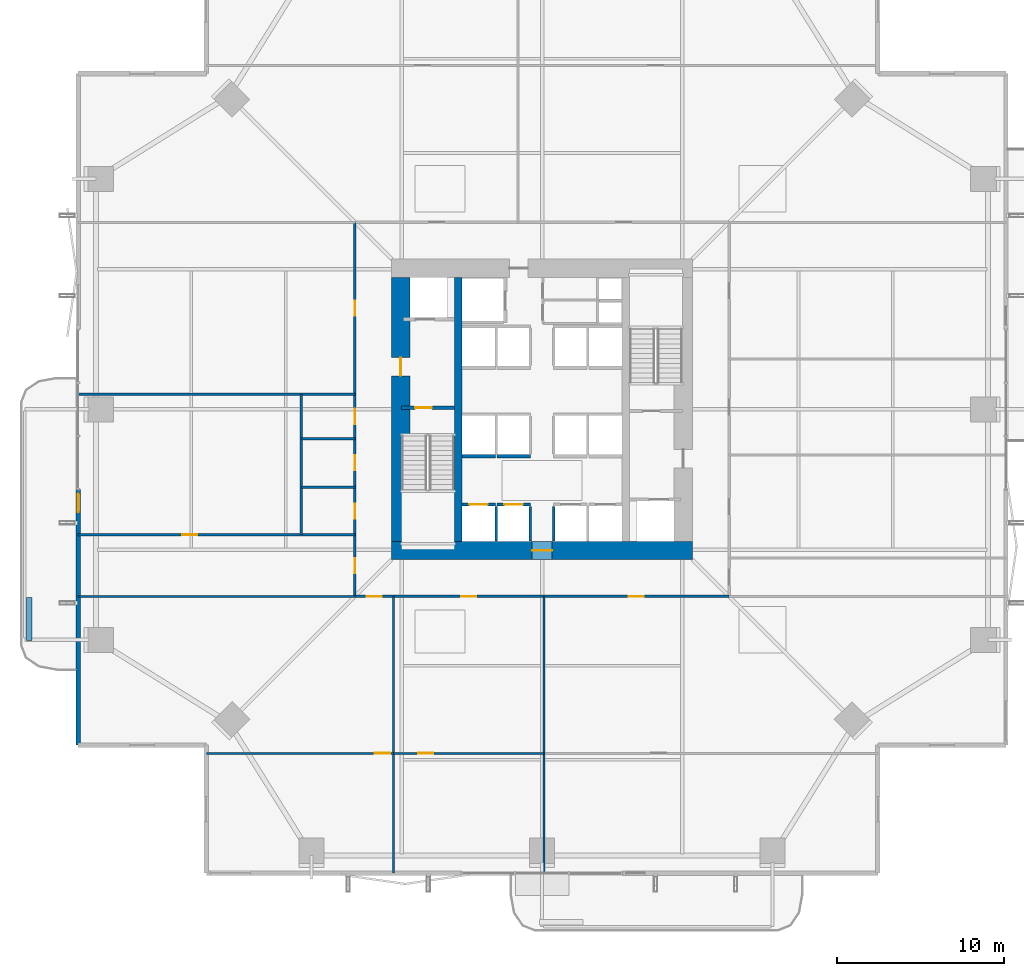
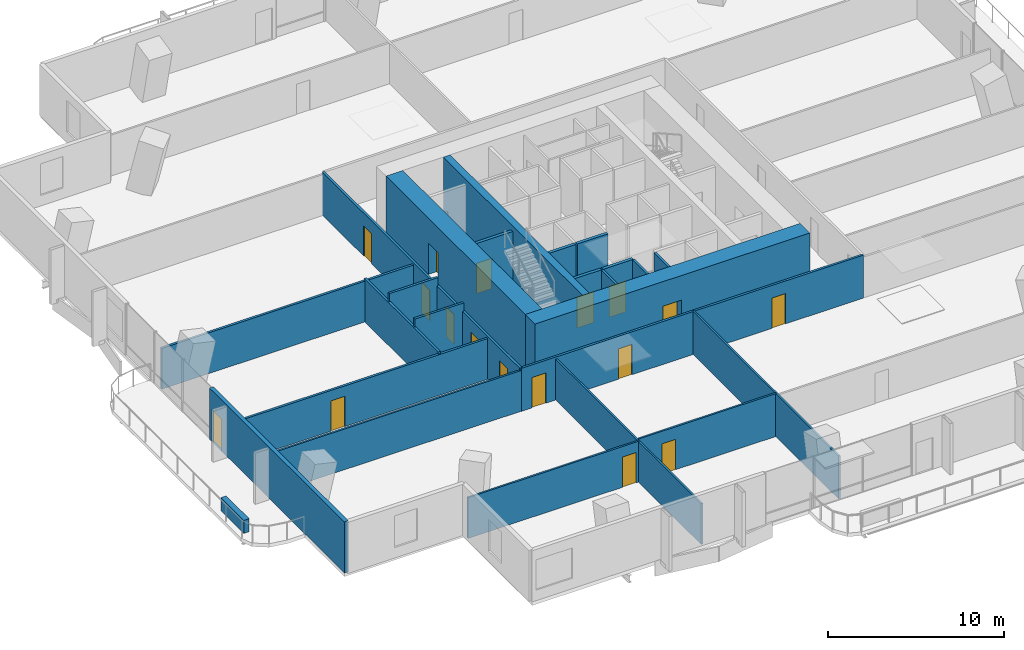
# One storey, part 17 of 24: 25 walls, 17 doors, 17 openings.
"""IFC4 building model written with IfcOpenShell, lengths in metres."""

from ifc_helpers import new_model, si_unit, direction, frame, frame_2d, origin, place, context, subcontext, project, spatial, rectangle, extrude, material, layer, layer_set, type_object, element, fill, save


model = new_model("IFC4")

# Units and contexts
model_context = context("Model", 3, precision=1e-05, world=origin(), true_north=direction((0.0, 1.0)))
body_context = subcontext(model_context, "Body", "Model", "MODEL_VIEW")
ifc_project = project(units=[si_unit("LENGTHUNIT", "METRE"), si_unit("AREAUNIT", "SQUARE_METRE"), si_unit("VOLUMEUNIT", "CUBIC_METRE"), si_unit("PLANEANGLEUNIT", "RADIAN"), si_unit("MASSUNIT", "GRAM", prefix="KILO")], contexts=[model_context])

# Site, building, storey
site_placement = place(None, origin())
site = spatial("IfcSite", under=ifc_project, at=site_placement, CompositionType="ELEMENT")
building_placement = place(site_placement, origin())
building = spatial("IfcBuilding", under=site, at=building_placement, Name="Belovzor Exchange Tower", CompositionType="ELEMENT")
storey_placement = place(building_placement, frame((0.0, 0.0, 104.10009765625)))
storey = spatial("IfcBuildingStorey", under=building, at=storey_placement, Name="L25", CompositionType="ELEMENT", Elevation=104.10009765625)

# Wall, opening, door
ifc_material_1 = material(Name="Acoustic Plasterboard on Galvanised Studs", Category="gypsum")
ifc_layer_1 = layer(ifc_material_1, 0.1201171875)
ifc_layer_set_1 = layer_set([ifc_layer_1], Name="Acoustic Plasterboard on Galvanised Studs")
wall_type_1 = type_object("IfcWallType", Name="Acoustic Double-Stud Partition Wall 120", PredefinedType="PARTITIONING", material=ifc_layer_set_1)
wall_1_placement = place(storey_placement, frame((8.699951171875, 8.2119140625, 0.0), z_axis=(0.0, 0.0, 1.0), x_axis=(1.0, 0.0, 0.0)))
wall_1 = element("IfcWall", 1, at=wall_1_placement, inside=storey, type_object=wall_type_1, Name="W-P120 Partition Wall W-L25-SHDIV-0", PredefinedType="PARTITIONING", context=body_context, shape_type="SweptSolid", body=[
    extrude(rectangle(XDim=11.199951171875, YDim=0.1201171875, at=frame_2d((5.60009765625, 0.0))), origin(), (0.0, 0.0, 1.0), 2.824951171875),
])
opening_1_placement = place(wall_1_placement, frame((10.10009765625, 0.0, 0.0)))
opening_1 = element("IfcOpeningElement", 2, at=opening_1_placement, cuts=wall_1, Name="Opening D-INT-090", PredefinedType="OPENING", context=body_context, shape_type="SweptSolid", body=[
    extrude(rectangle(XDim=0.89990234375, YDim=2.10009765625, at=frame_2d((0.449951171875, 1.050048828125))), frame((0.0, 0.070068359375, 0.0), z_axis=(0.0, -1.0, 0.0), x_axis=(1.0, 0.0, 0.0)), (0.0, 0.0, 1.0), 0.14013671875),
])
ifc_material_2 = material(Name="Veneered Hardwood Acoustic Leaf", Category="wood")
door_type_1 = type_object("IfcDoorType", Name="Trading Suite Acoustic Single Door 900x2100", OperationType="NOTDEFINED", PredefinedType="DOOR", material=ifc_material_2)
door_1_placement = place(opening_1_placement, origin())
door_1 = element("IfcDoor", 3, at=door_1_placement, inside=storey, type_object=door_type_1, Name="D-INT-090 Trading Suite Acoustic Single Door 900x2100", OperationType="SINGLE_SWING_LEFT", OverallHeight=2.10009765625, OverallWidth=0.89990234375, PredefinedType="DOOR", context=body_context, shape_type="SweptSolid", body=[
    extrude(rectangle(XDim=0.89990234375, YDim=2.10009765625, at=frame_2d((0.449951171875, 1.050048828125))), frame((0.0, 0.02490234375, 0.0), z_axis=(0.0, -1.0, 0.0), x_axis=(1.0, 0.0, 0.0)), (0.0, 0.0, 1.0), 0.050048828125),
])
fill(opening_1, door_1)

# Wall
wall_2_placement = place(storey_placement, frame((19.89990234375, 1.030029296875, 0.0), z_axis=(0.0, 0.0, 1.0), x_axis=(0.0, 1.0, 0.0)))
element("IfcWall", 4, at=wall_2_placement, inside=storey, type_object=wall_type_1, Name="W-P120 Partition Wall W-L25-SDIV-1", PredefinedType="PARTITIONING", context=body_context, shape_type="SweptSolid", body=[
    extrude(rectangle(XDim=16.570068359375, YDim=0.1201171875, at=frame_2d((8.28515625, 0.0))), origin(), (0.0, 0.0, 1.0), 2.824951171875),
])

# Wall, opening, door
wall_3_placement = place(storey_placement, frame((19.89990234375, 8.2119140625, 0.0), z_axis=(0.0, 0.0, 1.0), x_axis=(1.0, 0.0, 0.0)))
wall_3 = element("IfcWall", 5, at=wall_3_placement, inside=storey, type_object=wall_type_1, Name="W-P120 Partition Wall W-L25-SHDIV-1", PredefinedType="PARTITIONING", context=body_context, shape_type="SweptSolid", body=[
    extrude(rectangle(XDim=9.004150390625, YDim=0.1201171875, at=frame_2d((4.501953125, 0.0))), origin(), (0.0, 0.0, 1.0), 2.974853515625),
])
opening_2_placement = place(wall_3_placement, frame((1.48388671875, 0.0, 0.0)))
opening_2 = element("IfcOpeningElement", 6, at=opening_2_placement, cuts=wall_3, Name="Opening D-INT-090", PredefinedType="OPENING", context=body_context, shape_type="SweptSolid", body=[
    extrude(rectangle(XDim=0.89990234375, YDim=2.10009765625, at=frame_2d((0.449951171875, 1.050048828125))), frame((0.0, 0.070068359375, 0.0), z_axis=(0.0, -1.0, 0.0), x_axis=(1.0, 0.0, 0.0)), (0.0, 0.0, 1.0), 0.14013671875),
])
door_2_placement = place(opening_2_placement, origin())
door_2 = element("IfcDoor", 7, at=door_2_placement, inside=storey, type_object=door_type_1, Name="D-INT-090 Trading Suite Acoustic Single Door 900x2100", OperationType="SINGLE_SWING_LEFT", OverallHeight=2.10009765625, OverallWidth=0.89990234375, PredefinedType="DOOR", context=body_context, shape_type="SweptSolid", body=[
    extrude(rectangle(XDim=0.89990234375, YDim=2.10009765625, at=frame_2d((0.449951171875, 1.050048828125))), frame((0.0, 0.02490234375, 0.0), z_axis=(0.0, -1.0, 0.0), x_axis=(1.0, 0.0, 0.0)), (0.0, 0.0, 1.0), 0.050048828125),
])
fill(opening_2, door_2)

# Walls
wall_4_placement = place(storey_placement, frame((28.904052734375, 1.030029296875, 0.0), z_axis=(0.0, 0.0, 1.0), x_axis=(0.0, 1.0, 0.0)))
element("IfcWall", 8, at=wall_4_placement, inside=storey, type_object=wall_type_1, Name="W-P120 Partition Wall W-L25-SDIV-2", PredefinedType="PARTITIONING", context=body_context, shape_type="SweptSolid", body=[
    extrude(rectangle(XDim=16.570068359375, YDim=0.1201171875, at=frame_2d((8.28515625, 0.0))), origin(), (0.0, 0.0, 1.0), 2.974853515625),
])
wall_5_placement = place(storey_placement, frame((1.030029296875, 17.60009765625, 0.0), z_axis=(0.0, 0.0, 1.0), x_axis=(1.0, 0.0, 0.0)))
element("IfcWall", 9, at=wall_5_placement, inside=storey, type_object=wall_type_1, Name="W-P120 Partition Wall W-L25-END-SW", PredefinedType="PARTITIONING", context=body_context, shape_type="SweptSolid", body=[
    extrude(rectangle(XDim=16.570068359375, YDim=0.1201171875, at=frame_2d((8.28515625, 0.0))), origin(), (0.0, 0.0, 1.0), 2.824951171875),
])
ifc_material_3 = material(Name="Fire-Rated Gypsum Block and Mineral Wool", Category="gypsum")
ifc_layer_2 = layer(ifc_material_3, 0.14990234375)
ifc_layer_set_2 = layer_set([ifc_layer_2], Name="Fire-Rated Gypsum Block and Mineral Wool")
wall_type_2 = type_object("IfcWallType", Name="Fire-Rated Gypsum Block Corridor Wall 150", PredefinedType="PARTITIONING", material=ifc_layer_set_2)
wall_6_placement = place(storey_placement, frame((14.39990234375, 21.300048828125, 0.0), z_axis=(0.0, 0.0, 1.0), x_axis=(0.0, 1.0, 0.0)))
element("IfcWall", 10, at=wall_6_placement, inside=storey, type_object=wall_type_2, Name="W-P150 Partition Wall W-L25-WCW", PredefinedType="PARTITIONING", context=body_context, shape_type="SweptSolid", body=[
    extrude(rectangle(XDim=8.39990234375, YDim=0.14990234375, at=frame_2d((4.199951171875, 0.0))), origin(), (0.0, 0.0, 1.0), 2.974853515625),
])

# Wall, opening, door
wall_7_placement = place(storey_placement, frame((1.030029296875, 21.300048828125, 0.0), z_axis=(0.0, 0.0, 1.0), x_axis=(1.0, 0.0, 0.0)))
wall_7 = element("IfcWall", 11, at=wall_7_placement, inside=storey, type_object=wall_type_2, Name="W-P150 Partition Wall W-L25-WCS", PredefinedType="PARTITIONING", context=body_context, shape_type="SweptSolid", body=[
    extrude(rectangle(XDim=16.570068359375, YDim=0.14990234375, at=frame_2d((8.28515625, 0.0))), origin(), (0.0, 0.0, 1.0), 2.824951171875),
])
opening_3_placement = place(wall_7_placement, frame((6.235107421875, 0.0, 0.0)))
opening_3 = element("IfcOpeningElement", 12, at=opening_3_placement, cuts=wall_7, Name="Opening D-INT-090", PredefinedType="OPENING", context=body_context, shape_type="SweptSolid", body=[
    extrude(rectangle(XDim=0.89990234375, YDim=2.10009765625, at=frame_2d((0.449951171875, 1.050048828125))), frame((0.0, 0.0849609375, 0.0), z_axis=(0.0, -1.0, 0.0), x_axis=(1.0, 0.0, 0.0)), (0.0, 0.0, 1.0), 0.169921875),
])
door_3_placement = place(opening_3_placement, origin())
door_3 = element("IfcDoor", 13, at=door_3_placement, inside=storey, type_object=door_type_1, Name="D-INT-090 Trading Suite Acoustic Single Door 900x2100", OperationType="SINGLE_SWING_LEFT", OverallHeight=2.10009765625, OverallWidth=0.89990234375, PredefinedType="DOOR", context=body_context, shape_type="SweptSolid", body=[
    extrude(rectangle(XDim=0.89990234375, YDim=2.10009765625, at=frame_2d((0.449951171875, 1.050048828125))), frame((0.0, 0.02490234375, 0.0), z_axis=(0.0, -1.0, 0.0), x_axis=(1.0, 0.0, 0.0)), (0.0, 0.0, 1.0), 0.050048828125),
])
fill(opening_3, door_3)

# Walls
wall_8_placement = place(storey_placement, frame((1.030029296875, 29.699951171875, 0.0), z_axis=(0.0, 0.0, 1.0), x_axis=(1.0, 0.0, 0.0)))
element("IfcWall", 14, at=wall_8_placement, inside=storey, type_object=wall_type_2, Name="W-P150 Partition Wall W-L25-WCN", PredefinedType="PARTITIONING", context=body_context, shape_type="SweptSolid", body=[
    extrude(rectangle(XDim=16.570068359375, YDim=0.14990234375, at=frame_2d((8.28515625, 0.0))), origin(), (0.0, 0.0, 1.0), 2.824951171875),
])
for number, where, z_axis, x_axis, name in (
    (15, (14.39990234375, 24.14990234375, 0.0), (0.0, 0.0, 1.0), (1.0, 0.0, 0.0), "W-P150 Partition Wall W-L25-WCD1"),
    (16, (14.39990234375, 27.050048828125, 0.0), (0.0, 0.0, 1.0), (1.0, 0.0, 0.0), "W-P150 Partition Wall W-L25-WCD2"),
):
    element("IfcWall", number, at=place(storey_placement, frame(where, z_axis=z_axis, x_axis=x_axis)), inside=storey, type_object=wall_type_2, Name=name, PredefinedType="PARTITIONING", context=body_context, shape_type="SweptSolid", body=[
        extrude(rectangle(XDim=3.2001953125, YDim=0.14990234375, at=frame_2d((1.60009765625, 0.0))), origin(), (0.0, 0.0, 1.0), 3.539794921875),
    ])

# Wall, openings, doors
wall_9_placement = place(storey_placement, frame((17.60009765625, 17.60009765625, 0.0), z_axis=(0.0, 0.0, 1.0), x_axis=(1.0, 0.0, 0.0)))
wall_9 = element("IfcWall", 17, at=wall_9_placement, inside=storey, type_object=wall_type_2, Name="W-P150 Partition Wall W-L25-CS", PredefinedType="PARTITIONING", context=body_context, shape_type="SweptSolid", body=[
    extrude(rectangle(XDim=22.39990234375, YDim=0.14990234375, at=frame_2d((11.199951171875, 0.0))), origin(), (0.0, 0.0, 1.0), 2.974853515625),
])
opening_4_placement = place(wall_9_placement, frame((0.699951171875, 0.0, 0.0)))
opening_4 = element("IfcOpeningElement", 18, at=opening_4_placement, cuts=wall_9, Name="Opening D-INT-090", PredefinedType="OPENING", context=body_context, shape_type="SweptSolid", body=[
    extrude(rectangle(XDim=0.89990234375, YDim=2.10009765625, at=frame_2d((0.449951171875, 1.050048828125))), frame((0.0, 0.0849609375, 0.0), z_axis=(0.0, -1.0, 0.0), x_axis=(1.0, 0.0, 0.0)), (0.0, 0.0, 1.0), 0.169921875),
])
opening_5_placement = place(wall_9_placement, frame((6.35205078125, 0.0, 0.0)))
opening_5 = element("IfcOpeningElement", 19, at=opening_5_placement, cuts=wall_9, Name="Opening D-INT-090", PredefinedType="OPENING", context=body_context, shape_type="SweptSolid", body=[
    extrude(rectangle(XDim=0.89990234375, YDim=2.10009765625, at=frame_2d((0.449951171875, 1.050048828125))), frame((0.0, 0.0849609375, 0.0), z_axis=(0.0, -1.0, 0.0), x_axis=(1.0, 0.0, 0.0)), (0.0, 0.0, 1.0), 0.169921875),
])
opening_6_placement = place(wall_9_placement, frame((16.402099609375, 0.0, 0.0)))
opening_6 = element("IfcOpeningElement", 20, at=opening_6_placement, cuts=wall_9, Name="Opening D-INT-090", PredefinedType="OPENING", context=body_context, shape_type="SweptSolid", body=[
    extrude(rectangle(XDim=0.89990234375, YDim=2.10009765625, at=frame_2d((0.449951171875, 1.050048828125))), frame((0.0, 0.0849609375, 0.0), z_axis=(0.0, -1.0, 0.0), x_axis=(1.0, 0.0, 0.0)), (0.0, 0.0, 1.0), 0.169921875),
])
door_4_placement = place(opening_4_placement, origin())
door_4 = element("IfcDoor", 21, at=door_4_placement, inside=storey, type_object=door_type_1, Name="D-INT-090 Trading Suite Acoustic Single Door 900x2100", OperationType="SINGLE_SWING_RIGHT", OverallHeight=2.10009765625, OverallWidth=0.89990234375, PredefinedType="DOOR", context=body_context, shape_type="SweptSolid", body=[
    extrude(rectangle(XDim=0.89990234375, YDim=2.10009765625, at=frame_2d((0.449951171875, 1.050048828125))), frame((0.0, 0.02490234375, 0.0), z_axis=(0.0, -1.0, 0.0), x_axis=(1.0, 0.0, 0.0)), (0.0, 0.0, 1.0), 0.050048828125),
])
fill(opening_4, door_4)
door_5_placement = place(opening_5_placement, origin())
door_5 = element("IfcDoor", 22, at=door_5_placement, inside=storey, type_object=door_type_1, Name="D-INT-090 Trading Suite Acoustic Single Door 900x2100", OperationType="SINGLE_SWING_LEFT", OverallHeight=2.10009765625, OverallWidth=0.89990234375, PredefinedType="DOOR", context=body_context, shape_type="SweptSolid", body=[
    extrude(rectangle(XDim=0.89990234375, YDim=2.10009765625, at=frame_2d((0.449951171875, 1.050048828125))), frame((0.0, 0.02490234375, 0.0), z_axis=(0.0, -1.0, 0.0), x_axis=(1.0, 0.0, 0.0)), (0.0, 0.0, 1.0), 0.050048828125),
])
fill(opening_5, door_5)
door_6_placement = place(opening_6_placement, origin())
door_6 = element("IfcDoor", 23, at=door_6_placement, inside=storey, type_object=door_type_1, Name="D-INT-090 Trading Suite Acoustic Single Door 900x2100", OperationType="SINGLE_SWING_RIGHT", OverallHeight=2.10009765625, OverallWidth=0.89990234375, PredefinedType="DOOR", context=body_context, shape_type="SweptSolid", body=[
    extrude(rectangle(XDim=0.89990234375, YDim=2.10009765625, at=frame_2d((0.449951171875, 1.050048828125))), frame((0.0, 0.02490234375, 0.0), z_axis=(0.0, -1.0, 0.0), x_axis=(1.0, 0.0, 0.0)), (0.0, 0.0, 1.0), 0.050048828125),
])
fill(opening_6, door_6)

wall_10_placement = place(storey_placement, frame((17.60009765625, 17.60009765625, 0.0), z_axis=(0.0, 0.0, 1.0), x_axis=(0.0, 1.0, 0.0)))
wall_10 = element("IfcWall", 24, at=wall_10_placement, inside=storey, type_object=wall_type_2, Name="W-P150 Partition Wall W-L25-CW", PredefinedType="PARTITIONING", context=body_context, shape_type="SweptSolid", body=[
    extrude(rectangle(XDim=22.39990234375, YDim=0.14990234375, at=frame_2d((11.199951171875, 0.0))), origin(), (0.0, 0.0, 1.0), 2.974853515625),
])
opening_7_placement = place(wall_10_placement, frame((1.39990234375, 0.0, 0.0)))
opening_7 = element("IfcOpeningElement", 25, at=opening_7_placement, cuts=wall_10, Name="Opening D-INT-090", PredefinedType="OPENING", context=body_context, shape_type="SweptSolid", body=[
    extrude(rectangle(XDim=0.89990234375, YDim=2.10009765625, at=frame_2d((0.449951171875, 1.050048828125))), frame((0.0, 0.0849609375, 0.0), z_axis=(0.0, -1.0, 0.0), x_axis=(1.0, 0.0, 0.0)), (0.0, 0.0, 1.0), 0.169921875),
])
opening_8_placement = place(wall_10_placement, frame((4.64990234375, 0.0, 0.0)))
opening_8 = element("IfcOpeningElement", 26, at=opening_8_placement, cuts=wall_10, Name="Opening D-FD60-090", PredefinedType="OPENING", context=body_context, shape_type="SweptSolid", body=[
    extrude(rectangle(XDim=0.89990234375, YDim=2.10009765625, at=frame_2d((0.449951171875, 1.050048828125))), frame((0.0, 0.0849609375, 0.0), z_axis=(0.0, -1.0, 0.0), x_axis=(1.0, 0.0, 0.0)), (0.0, 0.0, 1.0), 0.169921875),
])
opening_9_placement = place(wall_10_placement, frame((7.550048828125, 0.0, 0.0)))
opening_9 = element("IfcOpeningElement", 27, at=opening_9_placement, cuts=wall_10, Name="Opening D-FD60-090", PredefinedType="OPENING", context=body_context, shape_type="SweptSolid", body=[
    extrude(rectangle(XDim=0.89990234375, YDim=2.10009765625, at=frame_2d((0.449951171875, 1.050048828125))), frame((0.0, 0.0849609375, 0.0), z_axis=(0.0, -1.0, 0.0), x_axis=(1.0, 0.0, 0.0)), (0.0, 0.0, 1.0), 0.169921875),
])
opening_10_placement = place(wall_10_placement, frame((10.300048828125, 0.0, 0.0)))
opening_10 = element("IfcOpeningElement", 28, at=opening_10_placement, cuts=wall_10, Name="Opening D-FD60-095", PredefinedType="OPENING", context=body_context, shape_type="SweptSolid", body=[
    extrude(rectangle(XDim=0.949951171875, YDim=2.10009765625, at=frame_2d((0.47509765625, 1.050048828125))), frame((0.0, 0.0849609375, 0.0), z_axis=(0.0, -1.0, 0.0), x_axis=(1.0, 0.0, 0.0)), (0.0, 0.0, 1.0), 0.169921875),
])
opening_11_placement = place(wall_10_placement, frame((16.800048828125, 0.0, 0.0)))
opening_11 = element("IfcOpeningElement", 29, at=opening_11_placement, cuts=wall_10, Name="Opening D-INT-090", PredefinedType="OPENING", context=body_context, shape_type="SweptSolid", body=[
    extrude(rectangle(XDim=0.89990234375, YDim=2.10009765625, at=frame_2d((0.449951171875, 1.050048828125))), frame((0.0, 0.0849609375, 0.0), z_axis=(0.0, -1.0, 0.0), x_axis=(1.0, 0.0, 0.0)), (0.0, 0.0, 1.0), 0.169921875),
])
ifc_material_4 = material(Name="Moisture-Resistant Timber Fire Leaf", Category="wood")
door_type_2 = type_object("IfcDoorType", Name="Accessible Restroom Wide Fire Door 950x2100", OperationType="NOTDEFINED", PredefinedType="DOOR", material=ifc_material_4)
door_7_placement = place(opening_10_placement, origin())
door_7 = element("IfcDoor", 30, at=door_7_placement, inside=storey, type_object=door_type_2, Name="D-FD60-095 Accessible Restroom Wide Fire Door 950x2100", OperationType="SINGLE_SWING_LEFT", OverallHeight=2.10009765625, OverallWidth=0.949951171875, PredefinedType="DOOR", context=body_context, shape_type="SweptSolid", body=[
    extrude(rectangle(XDim=0.949951171875, YDim=2.10009765625, at=frame_2d((0.47509765625, 1.050048828125))), frame((0.0, 0.02490234375, 0.0), z_axis=(0.0, -1.0, 0.0), x_axis=(1.0, 0.0, 0.0)), (0.0, 0.0, 1.0), 0.050048828125),
])
fill(opening_10, door_7)
ifc_material_5 = material(Name="Acoustic Timber Fire Leaf", Category="wood")
door_type_3 = type_object("IfcDoorType", Name="Core Service & Restroom Fire Door 900x2100", OperationType="NOTDEFINED", PredefinedType="DOOR", material=ifc_material_5)
door_8_placement = place(opening_8_placement, origin())
door_8 = element("IfcDoor", 31, at=door_8_placement, inside=storey, type_object=door_type_3, Name="D-FD60-090 Core Service & Restroom Fire Door 900x2100", OperationType="SINGLE_SWING_LEFT", OverallHeight=2.10009765625, OverallWidth=0.89990234375, PredefinedType="DOOR", context=body_context, shape_type="SweptSolid", body=[
    extrude(rectangle(XDim=0.89990234375, YDim=2.10009765625, at=frame_2d((0.449951171875, 1.050048828125))), frame((0.0, 0.02490234375, 0.0), z_axis=(0.0, -1.0, 0.0), x_axis=(1.0, 0.0, 0.0)), (0.0, 0.0, 1.0), 0.050048828125),
])
fill(opening_8, door_8)
door_9_placement = place(opening_9_placement, origin())
door_9 = element("IfcDoor", 32, at=door_9_placement, inside=storey, type_object=door_type_3, Name="D-FD60-090 Core Service & Restroom Fire Door 900x2100", OperationType="SINGLE_SWING_RIGHT", OverallHeight=2.10009765625, OverallWidth=0.89990234375, PredefinedType="DOOR", context=body_context, shape_type="SweptSolid", body=[
    extrude(rectangle(XDim=0.89990234375, YDim=2.10009765625, at=frame_2d((0.449951171875, 1.050048828125))), frame((0.0, 0.02490234375, 0.0), z_axis=(0.0, -1.0, 0.0), x_axis=(1.0, 0.0, 0.0)), (0.0, 0.0, 1.0), 0.050048828125),
])
fill(opening_9, door_9)
door_10_placement = place(opening_7_placement, origin())
door_10 = element("IfcDoor", 33, at=door_10_placement, inside=storey, type_object=door_type_1, Name="D-INT-090 Trading Suite Acoustic Single Door 900x2100", OperationType="SINGLE_SWING_LEFT", OverallHeight=2.10009765625, OverallWidth=0.89990234375, PredefinedType="DOOR", context=body_context, shape_type="SweptSolid", body=[
    extrude(rectangle(XDim=0.89990234375, YDim=2.10009765625, at=frame_2d((0.449951171875, 1.050048828125))), frame((0.0, 0.02490234375, 0.0), z_axis=(0.0, -1.0, 0.0), x_axis=(1.0, 0.0, 0.0)), (0.0, 0.0, 1.0), 0.050048828125),
])
fill(opening_7, door_10)
door_11_placement = place(opening_11_placement, origin())
door_11 = element("IfcDoor", 34, at=door_11_placement, inside=storey, type_object=door_type_1, Name="D-INT-090 Trading Suite Acoustic Single Door 900x2100", OperationType="SINGLE_SWING_RIGHT", OverallHeight=2.10009765625, OverallWidth=0.89990234375, PredefinedType="DOOR", context=body_context, shape_type="SweptSolid", body=[
    extrude(rectangle(XDim=0.89990234375, YDim=2.10009765625, at=frame_2d((0.449951171875, 1.050048828125))), frame((0.0, 0.02490234375, 0.0), z_axis=(0.0, -1.0, 0.0), x_axis=(1.0, 0.0, 0.0)), (0.0, 0.0, 1.0), 0.050048828125),
])
fill(opening_11, door_11)

# Wall, opening, door
ifc_material_6 = material(Name="Precast concrete C40/50", Category="concrete")
ifc_layer_3 = layer(ifc_material_6, 0.260009765625)
ifc_layer_set_3 = layer_set([ifc_layer_3], Name="Precast concrete C40/50")
wall_type_3 = type_object("IfcWallType", Name="Precast Concrete Perimeter Loggia Frame Wall 260", PredefinedType="SOLIDWALL", material=ifc_layer_set_3)
wall_11_placement = place(storey_placement, frame((1.030029296875, 8.699951171875, 0.0), z_axis=(0.0, 0.0, 1.0), x_axis=(0.0, 1.0, 0.0)))
wall_11 = element("IfcWall", 35, at=wall_11_placement, inside=storey, type_object=wall_type_3, Name="W-EXT260 Precast Concrete Perimeter Loggia Frame Wall 260 L25", PredefinedType="SOLIDWALL", context=body_context, shape_type="SweptSolid", body=[
    extrude(rectangle(XDim=15.300048828125, YDim=0.260009765625, at=frame_2d((7.64990234375, 0.0))), origin(), (0.0, 0.0, 1.0), 3.539794921875),
])
opening_12_placement = place(wall_11_placement, frame((13.949951171875, 0.0, 0.0)))
opening_12 = element("IfcOpeningElement", 36, at=opening_12_placement, cuts=wall_11, Name="Opening D-BAL110", PredefinedType="OPENING", context=body_context, shape_type="SweptSolid", body=[
    extrude(rectangle(XDim=1.10009765625, YDim=2.199951171875, at=frame_2d((0.550048828125, 1.10009765625))), frame((0.0, 0.139892578125, 0.0), z_axis=(0.0, -1.0, 0.0), x_axis=(1.0, 0.0, 0.0)), (0.0, 0.0, 1.0), 0.280029296875),
])
ifc_material_7 = material(Name="Thermally Broken Anodised Aluminium and Laminated Glass", Category="aluminium")
door_type_4 = type_object("IfcDoorType", Name="Planted Loggia Terrace Glazed Door 1100x2200", OperationType="SINGLE_SWING_LEFT", PredefinedType="DOOR", material=ifc_material_7)
door_12_placement = place(opening_12_placement, origin())
door_12 = element("IfcDoor", 37, at=door_12_placement, inside=storey, type_object=door_type_4, Name="D-BAL110 Balcony Terrace Door L25 W", OperationType="SINGLE_SWING_RIGHT", OverallHeight=2.199951171875, OverallWidth=1.10009765625, PredefinedType="DOOR", context=body_context, shape_type="SweptSolid", body=[
    extrude(rectangle(XDim=1.10009765625, YDim=2.199951171875, at=frame_2d((0.550048828125, 1.10009765625))), frame((0.0, 0.02490234375, 0.0), z_axis=(0.0, -1.0, 0.0), x_axis=(1.0, 0.0, 0.0)), (0.0, 0.0, 1.0), 0.050048828125),
])
fill(opening_12, door_12)

# Walls
ifc_material_8 = material(Name="Precast concrete C40/50", Category="concrete")
ifc_layer_4 = layer(ifc_material_8, 0.35009765625)
ifc_layer_set_4 = layer_set([ifc_layer_4], Name="Precast concrete C40/50")
wall_type_4 = type_object("IfcWallType", Name="Precast Concrete Structural Tree Planter Trough 350", PredefinedType="PARAPET", material=ifc_layer_set_4)
wall_12_placement = place(storey_placement, frame((-1.89990234375, 14.949951171875, 0.0), z_axis=(0.0, 0.0, 1.0), x_axis=(0.0, 1.0, 0.0)))
element("IfcWall", 38, at=wall_12_placement, inside=storey, type_object=wall_type_4, Name="PT-350 Precast Concrete Structural Tree Planter Trough 350 L25", PredefinedType="PARAPET", context=body_context, shape_type="SweptSolid", body=[
    extrude(rectangle(XDim=2.60009765625, YDim=0.35009765625, at=frame_2d((1.300048828125, 0.0))), origin(), (0.0, 0.0, 1.0), 0.89990234375),
])
ifc_material_9 = material(Name="Concrete C50/60", Category="concrete")
ifc_layer_5 = layer(ifc_material_9, 0.449951171875)
ifc_layer_set_5 = layer_set([ifc_layer_5], Name="Concrete C50/60")
wall_type_5 = type_object("IfcWallType", Name="Reinforced Concrete Core Internal Web Wall 450", PredefinedType="SHEAR", material=ifc_layer_set_5)
wall_13_placement = place(storey_placement, frame((23.77490234375, 20.89990234375, 0.0), z_axis=(0.0, 0.0, 1.0), x_axis=(0.0, 1.0, 0.0)))
element("IfcWall", 39, at=wall_13_placement, inside=storey, type_object=wall_type_5, Name="CW-W045 Core Internal Web Wall L25 WL", PredefinedType="SHEAR", context=body_context, shape_type="SweptSolid", body=[
    extrude(rectangle(XDim=15.800048828125, YDim=0.449951171875, at=frame_2d((7.89990234375, 0.0))), origin(), (0.0, 0.0, 1.0), 3.89990234375),
])
ifc_material_10 = material(Name="Concrete C50/60", Category="concrete")
ifc_layer_6 = layer(ifc_material_10, 0.14990234375)
ifc_layer_set_6 = layer_set([ifc_layer_6], Name="Concrete C50/60")
wall_type_6 = type_object("IfcWallType", Name="Reinforced Concrete Core Riser Shear Wall 150", PredefinedType="SHEAR", material=ifc_layer_set_6)
for number, where, z_axis, x_axis, name in (
    (40, (26.050048828125, 20.919921875, 0.0), (0.0, 0.0, 1.0), (0.0, 1.0, 0.0), "W-C150S Core Shaft Wall W-SHD-L25-PLL-1"),
    (41, (28.10009765625, 20.919921875, 0.0), (0.0, 0.0, 1.0), (0.0, 1.0, 0.0), "W-C150S Core Shaft Wall W-SHD-L25-PLL-2"),
    (42, (29.5, 20.919921875, 0.0), (0.0, 0.0, 1.0), (0.0, 1.0, 0.0), "W-C150S Core Shaft Wall W-SHD-L25-PLL-3"),
):
    element("IfcWall", number, at=place(storey_placement, frame(where, z_axis=z_axis, x_axis=x_axis)), inside=storey, type_object=wall_type_6, Name=name, PredefinedType="SHEAR", context=body_context, shape_type="SweptSolid", body=[
        extrude(rectangle(XDim=2.06005859375, YDim=0.14990234375, at=frame_2d((1.030029296875, 0.0))), origin(), (0.0, 0.0, 1.0), 3.539794921875),
    ])

# Wall, opening, door
ifc_material_11 = material(Name="Concrete C50/60", Category="concrete")
ifc_layer_7 = layer(ifc_material_11, 0.199951171875)
ifc_layer_set_7 = layer_set([ifc_layer_7], Name="Concrete C50/60")
wall_type_7 = type_object("IfcWallType", Name="Reinforced Concrete Core Shaft Shear Wall 200", PredefinedType="SHEAR", material=ifc_layer_set_7)
wall_14_placement = place(storey_placement, frame((20.39990234375, 28.89990234375, 0.0), z_axis=(0.0, 0.0, 1.0), x_axis=(1.0, 0.0, 0.0)))
wall_14 = element("IfcWall", 43, at=wall_14_placement, inside=storey, type_object=wall_type_7, Name="W-C200S Core Shaft Wall W-CORE-L25-FFLW1", PredefinedType="SHEAR", context=body_context, shape_type="SweptSolid", body=[
    extrude(rectangle(XDim=3.150146484375, YDim=0.199951171875, at=frame_2d((1.5751953125, 0.0))), origin(), (0.0, 0.0, 1.0), 3.539794921875),
])
opening_13_placement = place(wall_14_placement, frame((0.800048828125, 0.0, 0.0)))
opening_13 = element("IfcOpeningElement", 44, at=opening_13_placement, cuts=wall_14, Name="Opening D-FD90-100", PredefinedType="OPENING", context=body_context, shape_type="SweptSolid", body=[
    extrude(rectangle(XDim=1.0, YDim=2.10009765625, at=frame_2d((0.5, 1.050048828125))), frame((0.0, 0.10986328125, 0.0), z_axis=(0.0, -1.0, 0.0), x_axis=(1.0, 0.0, 0.0)), (0.0, 0.0, 1.0), 0.219970703125),
])
ifc_material_12 = material(Name="Fire-Rated Galvanised Steel Leaf", Category="steel")
door_type_5 = type_object("IfcDoorType", Name="Protected Stairwell Single Fire Door 1000x2100", OperationType="NOTDEFINED", PredefinedType="DOOR", material=ifc_material_12)
door_13_placement = place(opening_13_placement, origin())
door_13 = element("IfcDoor", 45, at=door_13_placement, inside=storey, type_object=door_type_5, Name="D-FD90-100 Protected Stairwell Single Fire Door 1000x2100", OperationType="SINGLE_SWING_RIGHT", OverallHeight=2.10009765625, OverallWidth=1.0, PredefinedType="DOOR", context=body_context, shape_type="SweptSolid", body=[
    extrude(rectangle(XDim=1.0, YDim=2.10009765625, at=frame_2d((0.5, 1.050048828125))), frame((0.0, 0.02490234375, 0.0), z_axis=(0.0, -1.0, 0.0), x_axis=(1.0, 0.0, 0.0)), (0.0, 0.0, 1.0), 0.050048828125),
])
fill(opening_13, door_13)

wall_15_placement = place(storey_placement, frame((24.0, 23.10009765625, 0.0), z_axis=(0.0, 0.0, 1.0), x_axis=(1.0, 0.0, 0.0)))
wall_15 = element("IfcWall", 46, at=wall_15_placement, inside=storey, type_object=wall_type_7, Name="W-C200S Core Shaft Wall W-SH-L25-PL-L1", PredefinedType="SHEAR", context=body_context, shape_type="SweptSolid", body=[
    extrude(rectangle(XDim=2.0, YDim=0.199951171875, at=frame_2d((1.0, 0.0))), origin(), (0.0, 0.0, 1.0), 3.539794921875),
])
opening_14_placement = place(wall_15_placement, frame((0.449951171875, 0.0, 0.0)))
opening_14 = element("IfcOpeningElement", 47, at=opening_14_placement, cuts=wall_15, Name="Opening LD-110", PredefinedType="OPENING", context=body_context, shape_type="SweptSolid", body=[
    extrude(rectangle(XDim=1.10009765625, YDim=2.14990234375, at=frame_2d((0.550048828125, 1.074951171875))), frame((0.0, 0.10986328125, 0.0), z_axis=(0.0, -1.0, 0.0), x_axis=(1.0, 0.0, 0.0)), (0.0, 0.0, 1.0), 0.219970703125),
])
ifc_material_13 = material(Name="Stainless Steel Grade 304", Category="steel")
door_type_6 = type_object("IfcDoorType", Name="Automated Stainless Steel Lift Landing Door 1100x2150", OperationType="SLIDING_TO_RIGHT", PredefinedType="DOOR", material=ifc_material_13)
door_14_placement = place(opening_14_placement, origin())
door_14 = element("IfcDoor", 48, at=door_14_placement, inside=storey, type_object=door_type_6, Name="LD-110 Automated Stainless Steel Lift Landing Door 1100x2150", OperationType="SLIDING_TO_RIGHT", OverallHeight=2.14990234375, OverallWidth=1.10009765625, PredefinedType="DOOR", context=body_context, shape_type="SweptSolid", body=[
    extrude(rectangle(XDim=1.10009765625, YDim=2.14990234375, at=frame_2d((0.550048828125, 1.074951171875))), frame((0.0, 0.02490234375, 0.0), z_axis=(0.0, -1.0, 0.0), x_axis=(1.0, 0.0, 0.0)), (0.0, 0.0, 1.0), 0.050048828125),
])
fill(opening_14, door_14)

wall_16_placement = place(storey_placement, frame((26.10009765625, 23.10009765625, 0.0), z_axis=(0.0, 0.0, 1.0), x_axis=(1.0, 0.0, 0.0)))
wall_16 = element("IfcWall", 49, at=wall_16_placement, inside=storey, type_object=wall_type_7, Name="W-C200S Core Shaft Wall W-SH-L25-PL-L2", PredefinedType="SHEAR", context=body_context, shape_type="SweptSolid", body=[
    extrude(rectangle(XDim=2.0, YDim=0.199951171875, at=frame_2d((1.0, 0.0))), origin(), (0.0, 0.0, 1.0), 3.539794921875),
])
opening_15_placement = place(wall_16_placement, frame((0.449951171875, 0.0, 0.0)))
opening_15 = element("IfcOpeningElement", 50, at=opening_15_placement, cuts=wall_16, Name="Opening LD-110", PredefinedType="OPENING", context=body_context, shape_type="SweptSolid", body=[
    extrude(rectangle(XDim=1.10009765625, YDim=2.14990234375, at=frame_2d((0.550048828125, 1.074951171875))), frame((0.0, 0.10986328125, 0.0), z_axis=(0.0, -1.0, 0.0), x_axis=(1.0, 0.0, 0.0)), (0.0, 0.0, 1.0), 0.219970703125),
])
door_15_placement = place(opening_15_placement, origin())
door_15 = element("IfcDoor", 51, at=door_15_placement, inside=storey, type_object=door_type_6, Name="LD-110 Automated Stainless Steel Lift Landing Door 1100x2150", OperationType="SLIDING_TO_RIGHT", OverallHeight=2.14990234375, OverallWidth=1.10009765625, PredefinedType="DOOR", context=body_context, shape_type="SweptSolid", body=[
    extrude(rectangle(XDim=1.10009765625, YDim=2.14990234375, at=frame_2d((0.550048828125, 1.074951171875))), frame((0.0, 0.02490234375, 0.0), z_axis=(0.0, -1.0, 0.0), x_axis=(1.0, 0.0, 0.0)), (0.0, 0.0, 1.0), 0.050048828125),
])
fill(opening_15, door_15)

# Walls
for number, where, z_axis, x_axis, name in (
    (52, (24.0, 26.0, 0.0), (0.0, 0.0, 1.0), (1.0, 0.0, 0.0), "W-C200S Core Shaft Wall W-SH-L25-PL-M1"),
    (53, (26.10009765625, 26.0, 0.0), (0.0, 0.0, 1.0), (1.0, 0.0, 0.0), "W-C200S Core Shaft Wall W-SH-L25-PL-M2"),
):
    element("IfcWall", number, at=place(storey_placement, frame(where, z_axis=z_axis, x_axis=x_axis)), inside=storey, type_object=wall_type_7, Name=name, PredefinedType="SHEAR", context=body_context, shape_type="SweptSolid", body=[
        extrude(rectangle(XDim=2.0, YDim=0.199951171875, at=frame_2d((1.0, 0.0))), origin(), (0.0, 0.0, 1.0), 3.539794921875),
    ])

# Wall, opening, door
ifc_material_14 = material(Name="Concrete C60/75", Category="concrete")
ifc_layer_8 = layer(ifc_material_14, 1.10009765625)
ifc_layer_set_8 = layer_set([ifc_layer_8], Name="Concrete C60/75")
wall_type_8 = type_object("IfcWallType", Name="Reinforced Concrete Core Shear Wall 1100", PredefinedType="SHEAR", material=ifc_layer_set_8)
wall_17_placement = place(storey_placement, frame((19.800048828125, 20.35009765625, 0.0), z_axis=(0.0, 0.0, 1.0), x_axis=(1.0, 0.0, 0.0)))
wall_17 = element("IfcWall", 54, at=wall_17_placement, inside=storey, type_object=wall_type_8, Name="CW-S110 Core Shear Wall L25 S", PredefinedType="SHEAR", context=body_context, shape_type="SweptSolid", body=[
    extrude(rectangle(XDim=18.0, YDim=1.10009765625, at=frame_2d((9.0, 0.0))), origin(), (0.0, 0.0, 1.0), 3.89990234375),
])
opening_16_placement = place(wall_17_placement, frame((8.39990234375, 0.0, 0.0)))
opening_16 = element("IfcOpeningElement", 55, at=opening_16_placement, cuts=wall_17, Name="Opening D-FD90-120", PredefinedType="OPENING", context=body_context, shape_type="SweptSolid", body=[
    extrude(rectangle(XDim=1.199951171875, YDim=2.199951171875, at=frame_2d((0.60009765625, 1.10009765625))), frame((0.0, 0.56005859375, 0.0), z_axis=(0.0, -1.0, 0.0), x_axis=(1.0, 0.0, 0.0)), (0.0, 0.0, 1.0), 1.1201171875),
])
ifc_material_15 = material(Name="Fire-Rated Galvanised Steel Leaf", Category="steel")
door_type_7 = type_object("IfcDoorType", Name="Heavy Plant & Foyer Fire Door 1200x2200", OperationType="NOTDEFINED", PredefinedType="DOOR", material=ifc_material_15)
door_16_placement = place(opening_16_placement, origin())
door_16 = element("IfcDoor", 56, at=door_16_placement, inside=storey, type_object=door_type_7, Name="D-FD90-120 Heavy Plant & Foyer Fire Door 1200x2200", OperationType="SINGLE_SWING_LEFT", OverallHeight=2.199951171875, OverallWidth=1.199951171875, PredefinedType="DOOR", context=body_context, shape_type="SweptSolid", body=[
    extrude(rectangle(XDim=1.199951171875, YDim=2.199951171875, at=frame_2d((0.60009765625, 1.10009765625))), frame((0.0, 0.02490234375, 0.0), z_axis=(0.0, -1.0, 0.0), x_axis=(1.0, 0.0, 0.0)), (0.0, 0.0, 1.0), 0.050048828125),
])
fill(opening_16, door_16)

wall_18_placement = place(storey_placement, frame((20.35009765625, 20.89990234375, 0.0), z_axis=(0.0, 0.0, 1.0), x_axis=(0.0, 1.0, 0.0)))
wall_18 = element("IfcWall", 57, at=wall_18_placement, inside=storey, type_object=wall_type_8, Name="CW-S110 Core Shear Wall L25 W", PredefinedType="SHEAR", context=body_context, shape_type="SweptSolid", body=[
    extrude(rectangle(XDim=15.800048828125, YDim=1.10009765625, at=frame_2d((7.89990234375, 0.0))), origin(), (0.0, 0.0, 1.0), 3.89990234375),
])
opening_17_placement = place(wall_18_placement, frame((9.89990234375, 0.0, 0.0)))
opening_17 = element("IfcOpeningElement", 58, at=opening_17_placement, cuts=wall_18, Name="Opening D-FD90-110", PredefinedType="OPENING", context=body_context, shape_type="SweptSolid", body=[
    extrude(rectangle(XDim=1.10009765625, YDim=2.14990234375, at=frame_2d((0.550048828125, 1.074951171875))), frame((0.0, 0.56005859375, 0.0), z_axis=(0.0, -1.0, 0.0), x_axis=(1.0, 0.0, 0.0)), (0.0, 0.0, 1.0), 1.1201171875),
])
ifc_material_16 = material(Name="Fire-Rated Galvanised Steel Leaf", Category="steel")
door_type_8 = type_object("IfcDoorType", Name="Protected Escape Vestibule Fire Door 1100x2150", OperationType="NOTDEFINED", PredefinedType="DOOR", material=ifc_material_16)
door_17_placement = place(opening_17_placement, origin())
door_17 = element("IfcDoor", 59, at=door_17_placement, inside=storey, type_object=door_type_8, Name="D-FD90-110 Protected Escape Vestibule Fire Door 1100x2150", OperationType="SINGLE_SWING_LEFT", OverallHeight=2.14990234375, OverallWidth=1.10009765625, PredefinedType="DOOR", context=body_context, shape_type="SweptSolid", body=[
    extrude(rectangle(XDim=1.10009765625, YDim=2.14990234375, at=frame_2d((0.550048828125, 1.074951171875))), frame((0.0, 0.02490234375, 0.0), z_axis=(0.0, -1.0, 0.0), x_axis=(1.0, 0.0, 0.0)), (0.0, 0.0, 1.0), 0.050048828125),
])
fill(opening_17, door_17)

save(model, "model.ifc")
